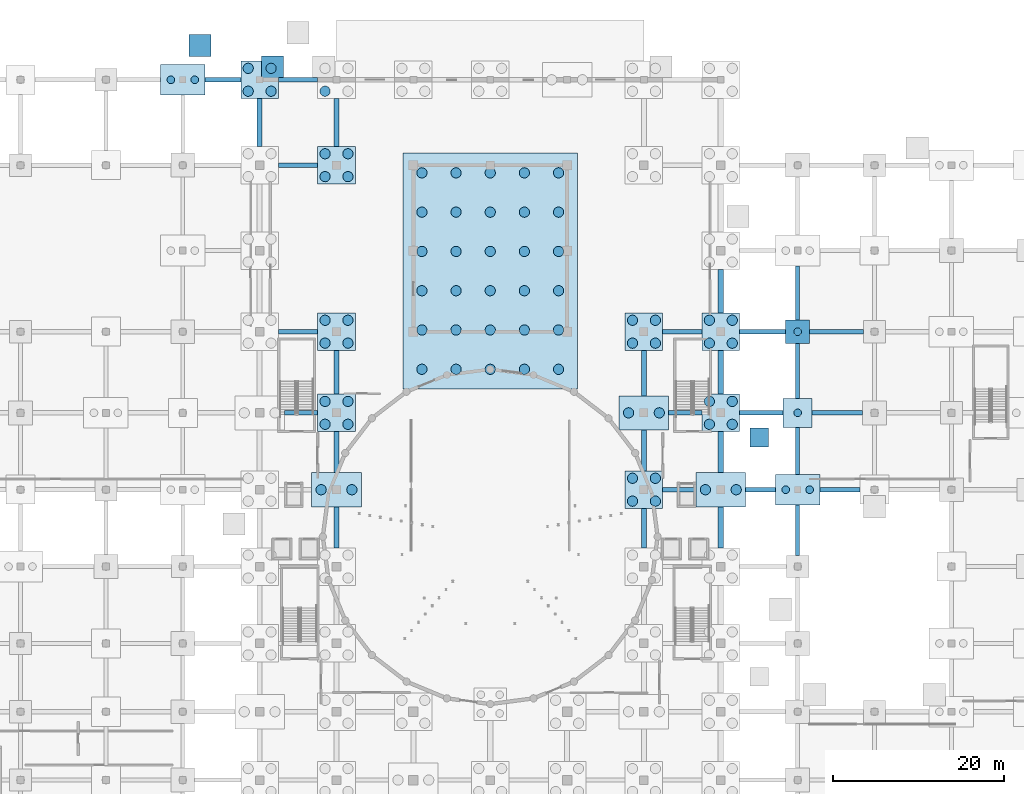
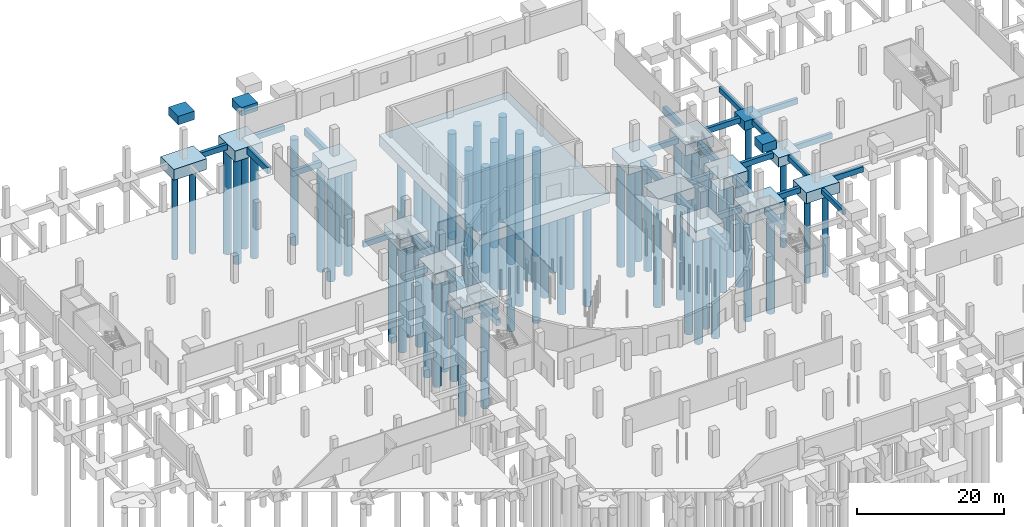
# One storey, part 7 of 40: 75 piles, 49 footings.
"""IFC4 building model written with IfcOpenShell, lengths in metres."""

from ifc_helpers import new_model, si_unit, direction, frame, origin, origin_2d, place, context, subcontext, project, spatial, rectangle, circle, extrude, material, layer, layer_set, material_profile, profile_set, type_object, element, save


model = new_model("IFC4")

# Units and contexts
model_context = context("Model", 3, precision=1e-05, world=origin(), true_north=direction((0.0, 1.0)))
body_context = subcontext(model_context, "Body", "Model", "MODEL_VIEW")
ifc_project = project(units=[si_unit("LENGTHUNIT", "METRE"), si_unit("AREAUNIT", "SQUARE_METRE"), si_unit("VOLUMEUNIT", "CUBIC_METRE"), si_unit("PLANEANGLEUNIT", "RADIAN"), si_unit("MASSUNIT", "GRAM", prefix="KILO")], contexts=[model_context])

# Site, building, storey
site_placement = place(None, origin())
site = spatial("IfcSite", under=ifc_project, at=site_placement, CompositionType="ELEMENT")
building_placement = place(site_placement, origin())
building = spatial("IfcBuilding", under=site, at=building_placement, Name="Marnock Terrace Opera House", CompositionType="ELEMENT")
storey_placement = place(building_placement, frame((0.0, 0.0, -4.800048828125)))
storey = spatial("IfcBuildingStorey", under=building, at=storey_placement, Name="B1", CompositionType="ELEMENT", Elevation=-4.800048828125)

# Footings
ifc_material = material(Name="Concrete N40 (f'c = 40 MPa)", Category="concrete")
ifc_layer_1 = layer(ifc_material, 1.5)
ifc_layer_set_1 = layer_set([ifc_layer_1], Name="Concrete N40 (f'c = 40 MPa)")
footing_type_1 = type_object("IfcFootingType", Name="FT-CAP-2800", PredefinedType="PILE_CAP", material=ifc_layer_set_1)
footing_1_placement = place(storey_placement, frame((118.0, 84.5, -1.89990234375), z_axis=(0.0, 0.0, 1.0), x_axis=(1.0, 0.0, 0.0)))
element("IfcFooting", 1, at=footing_1_placement, inside=storey, type_object=footing_type_1, Name="Pile cap FT-CAP-158", PredefinedType="PILE_CAP", context=body_context, shape_type="SweptSolid", body=[
    extrude(rectangle(XDim=2.800048828125, YDim=2.800048828125, at=origin_2d()), origin(), (0.0, 0.0, 1.0), 1.5),
])
ifc_layer_2 = layer(ifc_material, 1.550048828125)
ifc_layer_set_2 = layer_set([ifc_layer_2], Name="Concrete N40 (f'c = 40 MPa)")
footing_type_2 = type_object("IfcFootingType", Name="FT-CAP-3400", PredefinedType="PILE_CAP", material=ifc_layer_set_2)
footing_2_placement = place(storey_placement, frame((118.0, 75.0, -1.9501953125), z_axis=(0.0, 0.0, 1.0), x_axis=(1.0, 0.0, 0.0)))
element("IfcFooting", 2, at=footing_2_placement, inside=storey, type_object=footing_type_2, Name="Pile cap FT-CAP-157", PredefinedType="PILE_CAP", context=body_context, shape_type="SweptSolid", body=[
    extrude(rectangle(XDim=3.39990234375, YDim=3.39990234375, at=origin_2d()), origin(), (0.0, 0.0, 1.0), 1.550048828125),
])
ifc_layer_3 = layer(ifc_material, 1.800048828125)
ifc_layer_set_3 = layer_set([ifc_layer_3], Name="Concrete N40 (f'c = 40 MPa)")
footing_type_3 = type_object("IfcFootingType", Name="FT-CAP-4400", PredefinedType="PILE_CAP", material=ifc_layer_set_3)
for number, where, z_axis, x_axis, name in (
    (3, (55.0, 114.0, -2.2001953125), (0.0, 0.0, 1.0), (1.0, 0.0, 0.0), "Pile cap FT-CAP-089"),
    (4, (64.0, 75.0, -2.2001953125), (0.0, 0.0, 1.0), (1.0, 0.0, 0.0), "Pile cap FT-CAP-099"),
    (5, (64.0, 84.5, -2.2001953125), (0.0, 0.0, 1.0), (1.0, 0.0, 0.0), "Pile cap FT-CAP-100"),
    (6, (64.0, 104.0, -2.2001953125), (0.0, 0.0, 1.0), (1.0, 0.0, 0.0), "Pile cap FT-CAP-101"),
    (7, (100.0, 66.0, -2.2001953125), (0.0, 0.0, 1.0), (1.0, 0.0, 0.0), "Pile cap FT-CAP-131"),
    (8, (100.0, 84.5, -2.2001953125), (0.0, 0.0, 1.0), (1.0, 0.0, 0.0), "Pile cap FT-CAP-133"),
    (9, (109.0, 75.0, -2.2001953125), (0.0, 0.0, 1.0), (1.0, 0.0, 0.0), "Pile cap FT-CAP-144"),
    (10, (109.0, 84.5, -2.2001953125), (0.0, 0.0, 1.0), (1.0, 0.0, 0.0), "Pile cap FT-CAP-145"),
):
    element("IfcFooting", number, at=place(storey_placement, frame(where, z_axis=z_axis, x_axis=x_axis)), inside=storey, type_object=footing_type_3, Name=name, PredefinedType="PILE_CAP", context=body_context, shape_type="SweptSolid", body=[
        extrude(rectangle(XDim=4.39990234375, YDim=4.39990234375, at=origin_2d()), origin(), (0.0, 0.0, 1.0), 1.800048828125),
    ])
ifc_layer_4 = layer(ifc_material, 1.800048828125)
ifc_layer_set_4 = layer_set([ifc_layer_4], Name="Concrete N40 (f'c = 40 MPa)")
footing_type_4 = type_object("IfcFootingType", Name="FT-CAP-5200", PredefinedType="PILE_CAP", material=ifc_layer_set_4)
for number, where, z_axis, x_axis, name in (
    (11, (46.0, 114.0, -2.2001953125), (0.0, 0.0, 1.0), (1.0, 0.0, 0.0), "Pile cap FT-CAP-076"),
    (12, (118.0, 66.0, -2.2001953125), (0.0, 0.0, 1.0), (1.0, 0.0, 0.0), "Pile cap FT-CAP-156"),
):
    element("IfcFooting", number, at=place(storey_placement, frame(where, z_axis=z_axis, x_axis=x_axis)), inside=storey, type_object=footing_type_4, Name=name, PredefinedType="PILE_CAP", context=body_context, shape_type="SweptSolid", body=[
        extrude(rectangle(XDim=5.199951171875, YDim=3.60009765625, at=origin_2d()), origin(), (0.0, 0.0, 1.0), 1.800048828125),
    ])
ifc_layer_5 = layer(ifc_material, 1.89990234375)
ifc_layer_set_5 = layer_set([ifc_layer_5], Name="Concrete N40 (f'c = 40 MPa)")
footing_type_5 = type_object("IfcFootingType", Name="FT-CAP-5800", PredefinedType="PILE_CAP", material=ifc_layer_set_5)
for number, where, z_axis, x_axis, name in (
    (13, (64.0, 66.0, -2.2998046875), (0.0, 0.0, 1.0), (1.0, 0.0, 0.0), "Pile cap FT-CAP-098"),
    (14, (100.0, 75.0, -2.2998046875), (0.0, 0.0, 1.0), (1.0, 0.0, 0.0), "Pile cap FT-CAP-132"),
    (15, (109.0, 66.0, -2.2998046875), (0.0, 0.0, 1.0), (1.0, 0.0, 0.0), "Pile cap FT-CAP-143"),
):
    element("IfcFooting", number, at=place(storey_placement, frame(where, z_axis=z_axis, x_axis=x_axis)), inside=storey, type_object=footing_type_5, Name=name, PredefinedType="PILE_CAP", context=body_context, shape_type="SweptSolid", body=[
        extrude(rectangle(XDim=5.800048828125, YDim=4.0, at=origin_2d()), origin(), (0.0, 0.0, 1.0), 1.89990234375),
    ])
ifc_material_profile_1 = material_profile(ifc_material, rectangle(XDim=0.449951171875, YDim=0.800048828125, at=origin_2d()))
ifc_profile_set_1 = profile_set([ifc_material_profile_1], Name="Concrete N40 (f'c = 40 MPa)")
footing_type_6 = type_object("IfcFootingType", Name="FT-GB-450", PredefinedType="FOOTING_BEAM", material=ifc_profile_set_1)
footing_3_placement = place(storey_placement, frame((118.0, 58.300048828125, -0.949951171875), z_axis=(0.0, 1.0, 0.0), x_axis=(-1.0, 0.0, 0.0)))
element("IfcFooting", 16, at=footing_3_placement, inside=storey, type_object=footing_type_6, Name="Ground tie beam Y-136", PredefinedType="FOOTING_BEAM", context=body_context, shape_type="SweptSolid", body=[
    extrude(rectangle(XDim=0.449951171875, YDim=0.800048828125, at=origin_2d()), origin(), (0.0, 0.0, 1.0), 5.89990234375),
])
footing_4_placement = place(storey_placement, frame((118.0, 67.800048828125, -0.949951171875), z_axis=(0.0, 1.0, 0.0), x_axis=(-1.0, 0.0, 0.0)))
element("IfcFooting", 17, at=footing_4_placement, inside=storey, type_object=footing_type_6, Name="Ground tie beam Y-137", PredefinedType="FOOTING_BEAM", context=body_context, shape_type="SweptSolid", body=[
    extrude(rectangle(XDim=0.449951171875, YDim=0.800048828125, at=origin_2d()), origin(), (0.0, 0.0, 1.0), 5.5),
])
footing_5_placement = place(storey_placement, frame((118.0, 76.699951171875, -0.949951171875), z_axis=(0.0, 1.0, 0.0), x_axis=(-1.0, 0.0, 0.0)))
element("IfcFooting", 18, at=footing_5_placement, inside=storey, type_object=footing_type_6, Name="Ground tie beam Y-138", PredefinedType="FOOTING_BEAM", context=body_context, shape_type="SweptSolid", body=[
    extrude(rectangle(XDim=0.449951171875, YDim=0.800048828125, at=origin_2d()), origin(), (0.0, 0.0, 1.0), 6.400146484375),
])
footing_6_placement = place(storey_placement, frame((118.0, 85.89990234375, -0.949951171875), z_axis=(0.0, 1.0, 0.0), x_axis=(-1.0, 0.0, 0.0)))
element("IfcFooting", 19, at=footing_6_placement, inside=storey, type_object=footing_type_6, Name="Ground tie beam Y-139", PredefinedType="FOOTING_BEAM", context=body_context, shape_type="SweptSolid", body=[
    extrude(rectangle(XDim=0.449951171875, YDim=0.800048828125, at=origin_2d()), origin(), (0.0, 0.0, 1.0), 6.300048828125),
])
ifc_material_profile_2 = material_profile(ifc_material, rectangle(XDim=0.5, YDim=0.89990234375, at=origin_2d()))
ifc_profile_set_2 = profile_set([ifc_material_profile_2], Name="Concrete N40 (f'c = 40 MPa)")
footing_type_7 = type_object("IfcFootingType", Name="FT-GB-500", PredefinedType="FOOTING_BEAM", material=ifc_profile_set_2)
footing_7_placement = place(storey_placement, frame((102.199951171875, 66.0, -0.849853515625), z_axis=(1.0, 0.0, 0.0), x_axis=(0.0, 1.0, 0.0)))
element("IfcFooting", 20, at=footing_7_placement, inside=storey, type_object=footing_type_7, Name="Ground tie beam X-316", PredefinedType="FOOTING_BEAM", context=body_context, shape_type="SweptSolid", body=[
    extrude(rectangle(XDim=0.5, YDim=0.89990234375, at=origin_2d()), origin(), (0.0, 0.0, 1.0), 3.900146484375),
])
footing_8_placement = place(storey_placement, frame((111.89990234375, 66.0, -0.849853515625), z_axis=(1.0, 0.0, 0.0), x_axis=(0.0, 1.0, 0.0)))
element("IfcFooting", 21, at=footing_8_placement, inside=storey, type_object=footing_type_7, Name="Ground tie beam X-317", PredefinedType="FOOTING_BEAM", context=body_context, shape_type="SweptSolid", body=[
    extrude(rectangle(XDim=0.5, YDim=0.89990234375, at=origin_2d()), origin(), (0.0, 0.0, 1.0), 3.5),
])
footing_9_placement = place(storey_placement, frame((120.60009765625, 66.0, -0.849853515625), z_axis=(1.0, 0.0, 0.0), x_axis=(0.0, 1.0, 0.0)))
element("IfcFooting", 22, at=footing_9_placement, inside=storey, type_object=footing_type_7, Name="Ground tie beam X-318", PredefinedType="FOOTING_BEAM", context=body_context, shape_type="SweptSolid", body=[
    extrude(rectangle(XDim=0.5, YDim=0.89990234375, at=origin_2d()), origin(), (0.0, 0.0, 1.0), 4.699951171875),
])
for number, where, z_axis, x_axis, name in (
    (23, (57.89990234375, 75.0, -0.849853515625), (1.0, 0.0, 0.0), (0.0, 1.0, 0.0), "Ground tie beam X-329"),
    (24, (102.89990234375, 75.0, -0.849853515625), (1.0, 0.0, 0.0), (0.0, 1.0, 0.0), "Ground tie beam X-330"),
):
    element("IfcFooting", number, at=place(storey_placement, frame(where, z_axis=z_axis, x_axis=x_axis)), inside=storey, type_object=footing_type_7, Name=name, PredefinedType="FOOTING_BEAM", context=body_context, shape_type="SweptSolid", body=[
        extrude(rectangle(XDim=0.5, YDim=0.89990234375, at=origin_2d()), origin(), (0.0, 0.0, 1.0), 3.900146484375),
    ])
footing_10_placement = place(storey_placement, frame((111.199951171875, 75.0, -0.849853515625), z_axis=(1.0, 0.0, 0.0), x_axis=(0.0, 1.0, 0.0)))
element("IfcFooting", 25, at=footing_10_placement, inside=storey, type_object=footing_type_7, Name="Ground tie beam X-331", PredefinedType="FOOTING_BEAM", context=body_context, shape_type="SweptSolid", body=[
    extrude(rectangle(XDim=0.5, YDim=0.89990234375, at=origin_2d()), origin(), (0.0, 0.0, 1.0), 5.10009765625),
])
footing_11_placement = place(storey_placement, frame((119.699951171875, 75.0, -0.849853515625), z_axis=(1.0, 0.0, 0.0), x_axis=(0.0, 1.0, 0.0)))
element("IfcFooting", 26, at=footing_11_placement, inside=storey, type_object=footing_type_7, Name="Ground tie beam X-332", PredefinedType="FOOTING_BEAM", context=body_context, shape_type="SweptSolid", body=[
    extrude(rectangle(XDim=0.5, YDim=0.89990234375, at=origin_2d()), origin(), (0.0, 0.0, 1.0), 5.900146484375),
])
for number, where, z_axis, x_axis, name in (
    (27, (57.199951171875, 84.5, -0.849853515625), (1.0, 0.0, 0.0), (0.0, 1.0, 0.0), "Ground tie beam X-343"),
    (28, (102.199951171875, 84.5, -0.849853515625), (1.0, 0.0, 0.0), (0.0, 1.0, 0.0), "Ground tie beam X-344"),
):
    element("IfcFooting", number, at=place(storey_placement, frame(where, z_axis=z_axis, x_axis=x_axis)), inside=storey, type_object=footing_type_7, Name=name, PredefinedType="FOOTING_BEAM", context=body_context, shape_type="SweptSolid", body=[
        extrude(rectangle(XDim=0.5, YDim=0.89990234375, at=origin_2d()), origin(), (0.0, 0.0, 1.0), 4.60009765625),
    ])
footing_12_placement = place(storey_placement, frame((111.199951171875, 84.5, -0.849853515625), z_axis=(1.0, 0.0, 0.0), x_axis=(0.0, 1.0, 0.0)))
element("IfcFooting", 29, at=footing_12_placement, inside=storey, type_object=footing_type_7, Name="Ground tie beam X-345", PredefinedType="FOOTING_BEAM", context=body_context, shape_type="SweptSolid", body=[
    extrude(rectangle(XDim=0.5, YDim=0.89990234375, at=origin_2d()), origin(), (0.0, 0.0, 1.0), 5.400146484375),
])
footing_13_placement = place(storey_placement, frame((119.39990234375, 84.5, -0.849853515625), z_axis=(1.0, 0.0, 0.0), x_axis=(0.0, 1.0, 0.0)))
element("IfcFooting", 30, at=footing_13_placement, inside=storey, type_object=footing_type_7, Name="Ground tie beam X-346", PredefinedType="FOOTING_BEAM", context=body_context, shape_type="SweptSolid", body=[
    extrude(rectangle(XDim=0.5, YDim=0.89990234375, at=origin_2d()), origin(), (0.0, 0.0, 1.0), 6.300048828125),
])
footing_14_placement = place(storey_placement, frame((57.199951171875, 104.0, -0.849853515625), z_axis=(1.0, 0.0, 0.0), x_axis=(0.0, 1.0, 0.0)))
element("IfcFooting", 31, at=footing_14_placement, inside=storey, type_object=footing_type_7, Name="Ground tie beam X-366", PredefinedType="FOOTING_BEAM", context=body_context, shape_type="SweptSolid", body=[
    extrude(rectangle(XDim=0.5, YDim=0.89990234375, at=origin_2d()), origin(), (0.0, 0.0, 1.0), 4.60009765625),
])
footing_15_placement = place(storey_placement, frame((48.60009765625, 114.0, -0.849853515625), z_axis=(1.0, 0.0, 0.0), x_axis=(0.0, 1.0, 0.0)))
element("IfcFooting", 32, at=footing_15_placement, inside=storey, type_object=footing_type_7, Name="Ground tie beam X-379", PredefinedType="FOOTING_BEAM", context=body_context, shape_type="SweptSolid", body=[
    extrude(rectangle(XDim=0.5, YDim=0.89990234375, at=origin_2d()), origin(), (0.0, 0.0, 1.0), 4.199951171875),
])
footing_16_placement = place(storey_placement, frame((57.199951171875, 114.0, -0.849853515625), z_axis=(1.0, 0.0, 0.0), x_axis=(0.0, 1.0, 0.0)))
element("IfcFooting", 33, at=footing_16_placement, inside=storey, type_object=footing_type_7, Name="Ground tie beam X-380", PredefinedType="FOOTING_BEAM", context=body_context, shape_type="SweptSolid", body=[
    extrude(rectangle(XDim=0.5, YDim=0.89990234375, at=origin_2d()), origin(), (0.0, 0.0, 1.0), 4.60009765625),
])
ifc_material_profile_3 = material_profile(ifc_material, rectangle(XDim=0.60009765625, YDim=1.10009765625, at=origin_2d()))
ifc_profile_set_3 = profile_set([ifc_material_profile_3], Name="Concrete N40 (f'c = 40 MPa)")
footing_type_8 = type_object("IfcFootingType", Name="FT-GB-600", PredefinedType="FOOTING_BEAM", material=ifc_profile_set_3)
footing_17_placement = place(storey_placement, frame((55.0, 106.199951171875, -0.949951171875), z_axis=(0.0, 1.0, 0.0), x_axis=(-1.0, 0.0, 0.0)))
element("IfcFooting", 34, at=footing_17_placement, inside=storey, type_object=footing_type_8, Name="Ground tie beam Y-80", PredefinedType="FOOTING_BEAM", context=body_context, shape_type="SweptSolid", body=[
    extrude(rectangle(XDim=0.60009765625, YDim=1.10009765625, at=origin_2d()), origin(), (0.0, 0.0, 1.0), 5.60009765625),
])
for number, where, z_axis, x_axis, name in (
    (35, (64.0, 59.199951171875, -0.949951171875), (0.0, 1.0, 0.0), (-1.0, 0.0, 0.0), "Ground tie beam Y-88"),
    (36, (64.0, 68.0, -0.949951171875), (0.0, 1.0, 0.0), (-1.0, 0.0, 0.0), "Ground tie beam Y-89"),
):
    element("IfcFooting", number, at=place(storey_placement, frame(where, z_axis=z_axis, x_axis=x_axis)), inside=storey, type_object=footing_type_8, Name=name, PredefinedType="FOOTING_BEAM", context=body_context, shape_type="SweptSolid", body=[
        extrude(rectangle(XDim=0.60009765625, YDim=1.10009765625, at=origin_2d()), origin(), (0.0, 0.0, 1.0), 4.800048828125),
    ])
footing_18_placement = place(storey_placement, frame((64.0, 77.199951171875, -0.949951171875), z_axis=(0.0, 1.0, 0.0), x_axis=(-1.0, 0.0, 0.0)))
element("IfcFooting", 37, at=footing_18_placement, inside=storey, type_object=footing_type_8, Name="Ground tie beam Y-90", PredefinedType="FOOTING_BEAM", context=body_context, shape_type="SweptSolid", body=[
    extrude(rectangle(XDim=0.60009765625, YDim=1.10009765625, at=origin_2d()), origin(), (0.0, 0.0, 1.0), 5.10009765625),
])
footing_19_placement = place(storey_placement, frame((64.0, 106.199951171875, -0.949951171875), z_axis=(0.0, 1.0, 0.0), x_axis=(-1.0, 0.0, 0.0)))
element("IfcFooting", 38, at=footing_19_placement, inside=storey, type_object=footing_type_8, Name="Ground tie beam Y-91", PredefinedType="FOOTING_BEAM", context=body_context, shape_type="SweptSolid", body=[
    extrude(rectangle(XDim=0.60009765625, YDim=1.10009765625, at=origin_2d()), origin(), (0.0, 0.0, 1.0), 5.60009765625),
])
footing_20_placement = place(storey_placement, frame((100.0, 59.199951171875, -0.949951171875), z_axis=(0.0, 1.0, 0.0), x_axis=(-1.0, 0.0, 0.0)))
element("IfcFooting", 39, at=footing_20_placement, inside=storey, type_object=footing_type_8, Name="Ground tie beam Y-114", PredefinedType="FOOTING_BEAM", context=body_context, shape_type="SweptSolid", body=[
    extrude(rectangle(XDim=0.60009765625, YDim=1.10009765625, at=origin_2d()), origin(), (0.0, 0.0, 1.0), 4.60009765625),
])
footing_21_placement = place(storey_placement, frame((100.0, 68.199951171875, -0.949951171875), z_axis=(0.0, 1.0, 0.0), x_axis=(-1.0, 0.0, 0.0)))
element("IfcFooting", 40, at=footing_21_placement, inside=storey, type_object=footing_type_8, Name="Ground tie beam Y-115", PredefinedType="FOOTING_BEAM", context=body_context, shape_type="SweptSolid", body=[
    extrude(rectangle(XDim=0.60009765625, YDim=1.10009765625, at=origin_2d()), origin(), (0.0, 0.0, 1.0), 4.800048828125),
])
footing_22_placement = place(storey_placement, frame((100.0, 77.0, -0.949951171875), z_axis=(0.0, 1.0, 0.0), x_axis=(-1.0, 0.0, 0.0)))
element("IfcFooting", 41, at=footing_22_placement, inside=storey, type_object=footing_type_8, Name="Ground tie beam Y-116", PredefinedType="FOOTING_BEAM", context=body_context, shape_type="SweptSolid", body=[
    extrude(rectangle(XDim=0.60009765625, YDim=1.10009765625, at=origin_2d()), origin(), (0.0, 0.0, 1.0), 5.300048828125),
])
for number, where, z_axis, x_axis, name in (
    (42, (109.0, 59.199951171875, -0.949951171875), (0.0, 1.0, 0.0), (-1.0, 0.0, 0.0), "Ground tie beam Y-124"),
    (43, (109.0, 68.0, -0.949951171875), (0.0, 1.0, 0.0), (-1.0, 0.0, 0.0), "Ground tie beam Y-125"),
):
    element("IfcFooting", number, at=place(storey_placement, frame(where, z_axis=z_axis, x_axis=x_axis)), inside=storey, type_object=footing_type_8, Name=name, PredefinedType="FOOTING_BEAM", context=body_context, shape_type="SweptSolid", body=[
        extrude(rectangle(XDim=0.60009765625, YDim=1.10009765625, at=origin_2d()), origin(), (0.0, 0.0, 1.0), 4.800048828125),
    ])
for number, where, z_axis, x_axis, name in (
    (44, (109.0, 77.199951171875, -0.949951171875), (0.0, 1.0, 0.0), (-1.0, 0.0, 0.0), "Ground tie beam Y-126"),
    (45, (109.0, 86.699951171875, -0.949951171875), (0.0, 1.0, 0.0), (-1.0, 0.0, 0.0), "Ground tie beam Y-127"),
):
    element("IfcFooting", number, at=place(storey_placement, frame(where, z_axis=z_axis, x_axis=x_axis)), inside=storey, type_object=footing_type_8, Name=name, PredefinedType="FOOTING_BEAM", context=body_context, shape_type="SweptSolid", body=[
        extrude(rectangle(XDim=0.60009765625, YDim=1.10009765625, at=origin_2d()), origin(), (0.0, 0.0, 1.0), 5.10009765625),
    ])
ifc_layer_6 = layer(ifc_material, 1.39990234375)
ifc_layer_set_6 = layer_set([ifc_layer_6], Name="Concrete N40 (f'c = 40 MPa)")
footing_type_9 = type_object("IfcFootingType", Name="FT-PAD-2200", PredefinedType="PAD_FOOTING", material=ifc_layer_set_6)
footing_23_placement = place(storey_placement, frame((113.5, 72.10009765625, 3.16015625), z_axis=(0.0, 0.0, 1.0), x_axis=(1.0, 0.0, 0.0)))
element("IfcFooting", 46, at=footing_23_placement, inside=storey, type_object=footing_type_9, Name="Grade ramp foundation RMP-PASS-03", PredefinedType="PAD_FOOTING", context=body_context, shape_type="SweptSolid", body=[
    extrude(rectangle(XDim=2.199951171875, YDim=2.199951171875, at=origin_2d()), origin(), (0.0, 0.0, 1.0), 1.39990234375),
])
ifc_layer_7 = layer(ifc_material, 1.39990234375)
ifc_layer_set_7 = layer_set([ifc_layer_7], Name="Concrete N40 (f'c = 40 MPa)")
footing_type_10 = type_object("IfcFootingType", Name="FT-PAD-2600", PredefinedType="PAD_FOOTING", material=ifc_layer_set_7)
for number, where, z_axis, x_axis, name in (
    (47, (56.5, 115.5, 3.16015625), (0.0, 0.0, 1.0), (1.0, 0.0, 0.0), "Upper-terrace grade pad footing FT-APR-NW1"),
    (48, (48.0, 118.0, 3.16015625), (0.0, 0.0, 1.0), (1.0, 0.0, 0.0), "Upper-terrace grade pad footing FT-APR-DK3"),
):
    element("IfcFooting", number, at=place(storey_placement, frame(where, z_axis=z_axis, x_axis=x_axis)), inside=storey, type_object=footing_type_10, Name=name, PredefinedType="PAD_FOOTING", context=body_context, shape_type="SweptSolid", body=[
        extrude(rectangle(XDim=2.60009765625, YDim=2.60009765625, at=origin_2d()), origin(), (0.0, 0.0, 1.0), 1.39990234375),
    ])
ifc_layer_8 = layer(ifc_material, 1.800048828125)
ifc_layer_set_8 = layer_set([ifc_layer_8], Name="Concrete N40 (f'c = 40 MPa)")
footing_type_11 = type_object("IfcFootingType", Name="FT-RAFT-STAGE", PredefinedType="PAD_FOOTING", material=ifc_layer_set_8)
footing_24_placement = place(storey_placement, frame((82.0, 91.60009765625, -2.2001953125), z_axis=(0.0, 0.0, 1.0), x_axis=(1.0, 0.0, 0.0)))
element("IfcFooting", 49, at=footing_24_placement, inside=storey, type_object=footing_type_11, Name="Stage House and Orchestra Pit piled raft", PredefinedType="PAD_FOOTING", context=body_context, shape_type="SweptSolid", body=[
    extrude(rectangle(XDim=20.39990234375, YDim=27.60009765625, at=origin_2d()), origin(), (0.0, 0.0, 1.0), 1.800048828125),
])

# Piles
ifc_material_profile_4 = material_profile(ifc_material, circle(Radius=0.6005859375, at=origin_2d()))
ifc_profile_set_4 = profile_set([ifc_material_profile_4], Name="Concrete N40 (f'c = 40 MPa)")
pile_type_1 = type_object("IfcPileType", Name="PILE-CFA-1200", PredefinedType="BORED", material=ifc_profile_set_4)
for number, where, z_axis, x_axis, name in (
    (50, (74.0, 80.10009765625, -2.099853515625), (0.0, 0.0, -1.0), (1.0, 0.0, 0.0), "Stage raft bored CFA pile 1"),
    (51, (74.0, 84.699951171875, -2.099853515625), (0.0, 0.0, -1.0), (1.0, 0.0, 0.0), "Stage raft bored CFA pile 2"),
    (52, (74.0, 89.300048828125, -2.099853515625), (0.0, 0.0, -1.0), (1.0, 0.0, 0.0), "Stage raft bored CFA pile 3"),
    (53, (74.0, 93.89990234375, -2.099853515625), (0.0, 0.0, -1.0), (1.0, 0.0, 0.0), "Stage raft bored CFA pile 4"),
    (54, (74.0, 98.5, -2.099853515625), (0.0, 0.0, -1.0), (1.0, 0.0, 0.0), "Stage raft bored CFA pile 5"),
    (55, (74.0, 103.10009765625, -2.099853515625), (0.0, 0.0, -1.0), (1.0, 0.0, 0.0), "Stage raft bored CFA pile 6"),
    (56, (78.0, 80.10009765625, -2.099853515625), (0.0, 0.0, -1.0), (1.0, 0.0, 0.0), "Stage raft bored CFA pile 7"),
    (57, (78.0, 84.699951171875, -2.099853515625), (0.0, 0.0, -1.0), (1.0, 0.0, 0.0), "Stage raft bored CFA pile 8"),
    (58, (78.0, 89.300048828125, -2.099853515625), (0.0, 0.0, -1.0), (1.0, 0.0, 0.0), "Stage raft bored CFA pile 9"),
    (59, (78.0, 93.89990234375, -2.099853515625), (0.0, 0.0, -1.0), (1.0, 0.0, 0.0), "Stage raft bored CFA pile 10"),
    (60, (78.0, 98.5, -2.099853515625), (0.0, 0.0, -1.0), (1.0, 0.0, 0.0), "Stage raft bored CFA pile 11"),
    (61, (78.0, 103.10009765625, -2.099853515625), (0.0, 0.0, -1.0), (1.0, 0.0, 0.0), "Stage raft bored CFA pile 12"),
    (62, (82.0, 80.10009765625, -2.099853515625), (0.0, 0.0, -1.0), (1.0, 0.0, 0.0), "Stage raft bored CFA pile 13"),
    (63, (82.0, 84.699951171875, -2.099853515625), (0.0, 0.0, -1.0), (1.0, 0.0, 0.0), "Stage raft bored CFA pile 14"),
    (64, (82.0, 89.300048828125, -2.099853515625), (0.0, 0.0, -1.0), (1.0, 0.0, 0.0), "Stage raft bored CFA pile 15"),
    (65, (82.0, 93.89990234375, -2.099853515625), (0.0, 0.0, -1.0), (1.0, 0.0, 0.0), "Stage raft bored CFA pile 16"),
    (66, (82.0, 98.5, -2.099853515625), (0.0, 0.0, -1.0), (1.0, 0.0, 0.0), "Stage raft bored CFA pile 17"),
    (67, (82.0, 103.10009765625, -2.099853515625), (0.0, 0.0, -1.0), (1.0, 0.0, 0.0), "Stage raft bored CFA pile 18"),
    (68, (86.0, 80.10009765625, -2.099853515625), (0.0, 0.0, -1.0), (1.0, 0.0, 0.0), "Stage raft bored CFA pile 19"),
    (69, (86.0, 84.699951171875, -2.099853515625), (0.0, 0.0, -1.0), (1.0, 0.0, 0.0), "Stage raft bored CFA pile 20"),
    (70, (86.0, 89.300048828125, -2.099853515625), (0.0, 0.0, -1.0), (1.0, 0.0, 0.0), "Stage raft bored CFA pile 21"),
    (71, (86.0, 93.89990234375, -2.099853515625), (0.0, 0.0, -1.0), (1.0, 0.0, 0.0), "Stage raft bored CFA pile 22"),
    (72, (86.0, 98.5, -2.099853515625), (0.0, 0.0, -1.0), (1.0, 0.0, 0.0), "Stage raft bored CFA pile 23"),
    (73, (86.0, 103.10009765625, -2.099853515625), (0.0, 0.0, -1.0), (1.0, 0.0, 0.0), "Stage raft bored CFA pile 24"),
    (74, (90.0, 80.10009765625, -2.099853515625), (0.0, 0.0, -1.0), (1.0, 0.0, 0.0), "Stage raft bored CFA pile 25"),
    (75, (90.0, 84.699951171875, -2.099853515625), (0.0, 0.0, -1.0), (1.0, 0.0, 0.0), "Stage raft bored CFA pile 26"),
    (76, (90.0, 89.300048828125, -2.099853515625), (0.0, 0.0, -1.0), (1.0, 0.0, 0.0), "Stage raft bored CFA pile 27"),
    (77, (90.0, 93.89990234375, -2.099853515625), (0.0, 0.0, -1.0), (1.0, 0.0, 0.0), "Stage raft bored CFA pile 28"),
    (78, (90.0, 98.5, -2.099853515625), (0.0, 0.0, -1.0), (1.0, 0.0, 0.0), "Stage raft bored CFA pile 29"),
    (79, (90.0, 103.10009765625, -2.099853515625), (0.0, 0.0, -1.0), (1.0, 0.0, 0.0), "Stage raft bored CFA pile 30"),
    (80, (53.659912109375, 112.659912109375, -2.099853515625), (0.0, 0.0, -1.0), (1.0, 0.0, 0.0), "Bored CFA pile 89.1"),
    (81, (56.340087890625, 112.659912109375, -2.099853515625), (0.0, 0.0, -1.0), (1.0, 0.0, 0.0), "Bored CFA pile 89.2"),
    (82, (53.659912109375, 115.340087890625, -2.099853515625), (0.0, 0.0, -1.0), (1.0, 0.0, 0.0), "Bored CFA pile 89.3"),
    (83, (56.340087890625, 115.340087890625, -2.099853515625), (0.0, 0.0, -1.0), (1.0, 0.0, 0.0), "Bored CFA pile 89.4"),
):
    element("IfcPile", number, at=place(storey_placement, frame(where, z_axis=z_axis, x_axis=x_axis)), inside=storey, type_object=pile_type_1, Name=name, PredefinedType="BORED", context=body_context, shape_type="SweptSolid", body=[
        extrude(circle(Radius=0.6005859375, at=origin_2d()), origin(), (0.0, 0.0, 1.0), 17.60009765625),
    ])
for number, where, z_axis, x_axis, name in (
    (84, (62.199951171875, 66.0, -2.199951171875), (0.0, 0.0, -1.0), (1.0, 0.0, 0.0), "Bored CFA pile 98.1"),
    (85, (65.800048828125, 66.0, -2.199951171875), (0.0, 0.0, -1.0), (1.0, 0.0, 0.0), "Bored CFA pile 98.2"),
):
    element("IfcPile", number, at=place(storey_placement, frame(where, z_axis=z_axis, x_axis=x_axis)), inside=storey, type_object=pile_type_1, Name=name, PredefinedType="BORED", context=body_context, shape_type="SweptSolid", body=[
        extrude(circle(Radius=0.6005859375, at=origin_2d()), origin(), (0.0, 0.0, 1.0), 17.5),
    ])
for number, where, z_axis, x_axis, name in (
    (86, (62.659912109375, 73.659912109375, -2.099853515625), (0.0, 0.0, -1.0), (1.0, 0.0, 0.0), "Bored CFA pile 99.1"),
    (87, (65.340087890625, 73.659912109375, -2.099853515625), (0.0, 0.0, -1.0), (1.0, 0.0, 0.0), "Bored CFA pile 99.2"),
    (88, (62.659912109375, 76.340087890625, -2.099853515625), (0.0, 0.0, -1.0), (1.0, 0.0, 0.0), "Bored CFA pile 99.3"),
    (89, (65.340087890625, 76.340087890625, -2.099853515625), (0.0, 0.0, -1.0), (1.0, 0.0, 0.0), "Bored CFA pile 99.4"),
    (90, (62.659912109375, 83.159912109375, -2.099853515625), (0.0, 0.0, -1.0), (1.0, 0.0, 0.0), "Bored CFA pile 100.1"),
    (91, (65.340087890625, 83.159912109375, -2.099853515625), (0.0, 0.0, -1.0), (1.0, 0.0, 0.0), "Bored CFA pile 100.2"),
    (92, (62.659912109375, 85.840087890625, -2.099853515625), (0.0, 0.0, -1.0), (1.0, 0.0, 0.0), "Bored CFA pile 100.3"),
    (93, (65.340087890625, 85.840087890625, -2.099853515625), (0.0, 0.0, -1.0), (1.0, 0.0, 0.0), "Bored CFA pile 100.4"),
    (94, (62.659912109375, 102.659912109375, -2.099853515625), (0.0, 0.0, -1.0), (1.0, 0.0, 0.0), "Bored CFA pile 101.1"),
    (95, (65.340087890625, 102.659912109375, -2.099853515625), (0.0, 0.0, -1.0), (1.0, 0.0, 0.0), "Bored CFA pile 101.2"),
    (96, (62.659912109375, 105.340087890625, -2.099853515625), (0.0, 0.0, -1.0), (1.0, 0.0, 0.0), "Bored CFA pile 101.3"),
    (97, (65.340087890625, 105.340087890625, -2.099853515625), (0.0, 0.0, -1.0), (1.0, 0.0, 0.0), "Bored CFA pile 101.4"),
    (98, (62.659912109375, 112.659912109375, -2.099853515625), (0.0, 0.0, -1.0), (1.0, 0.0, 0.0), "Bored CFA pile 102.1"),
    (99, (98.659912109375, 64.659912109375, -2.099853515625), (0.0, 0.0, -1.0), (1.0, 0.0, 0.0), "Bored CFA pile 131.1"),
    (100, (101.340087890625, 64.659912109375, -2.099853515625), (0.0, 0.0, -1.0), (1.0, 0.0, 0.0), "Bored CFA pile 131.2"),
    (101, (98.659912109375, 67.340087890625, -2.099853515625), (0.0, 0.0, -1.0), (1.0, 0.0, 0.0), "Bored CFA pile 131.3"),
    (102, (101.340087890625, 67.340087890625, -2.099853515625), (0.0, 0.0, -1.0), (1.0, 0.0, 0.0), "Bored CFA pile 131.4"),
):
    element("IfcPile", number, at=place(storey_placement, frame(where, z_axis=z_axis, x_axis=x_axis)), inside=storey, type_object=pile_type_1, Name=name, PredefinedType="BORED", context=body_context, shape_type="SweptSolid", body=[
        extrude(circle(Radius=0.6005859375, at=origin_2d()), origin(), (0.0, 0.0, 1.0), 17.60009765625),
    ])
for number, where, z_axis, x_axis, name in (
    (103, (98.199951171875, 75.0, -2.199951171875), (0.0, 0.0, -1.0), (1.0, 0.0, 0.0), "Bored CFA pile 132.1"),
    (104, (101.800048828125, 75.0, -2.199951171875), (0.0, 0.0, -1.0), (1.0, 0.0, 0.0), "Bored CFA pile 132.2"),
):
    element("IfcPile", number, at=place(storey_placement, frame(where, z_axis=z_axis, x_axis=x_axis)), inside=storey, type_object=pile_type_1, Name=name, PredefinedType="BORED", context=body_context, shape_type="SweptSolid", body=[
        extrude(circle(Radius=0.6005859375, at=origin_2d()), origin(), (0.0, 0.0, 1.0), 17.5),
    ])
for number, where, z_axis, x_axis, name in (
    (105, (98.659912109375, 83.159912109375, -2.099853515625), (0.0, 0.0, -1.0), (1.0, 0.0, 0.0), "Bored CFA pile 133.1"),
    (106, (101.340087890625, 83.159912109375, -2.099853515625), (0.0, 0.0, -1.0), (1.0, 0.0, 0.0), "Bored CFA pile 133.2"),
    (107, (98.659912109375, 85.840087890625, -2.099853515625), (0.0, 0.0, -1.0), (1.0, 0.0, 0.0), "Bored CFA pile 133.3"),
    (108, (101.340087890625, 85.840087890625, -2.099853515625), (0.0, 0.0, -1.0), (1.0, 0.0, 0.0), "Bored CFA pile 133.4"),
):
    element("IfcPile", number, at=place(storey_placement, frame(where, z_axis=z_axis, x_axis=x_axis)), inside=storey, type_object=pile_type_1, Name=name, PredefinedType="BORED", context=body_context, shape_type="SweptSolid", body=[
        extrude(circle(Radius=0.6005859375, at=origin_2d()), origin(), (0.0, 0.0, 1.0), 17.60009765625),
    ])
for number, where, z_axis, x_axis, name in (
    (109, (107.199951171875, 66.0, -2.199951171875), (0.0, 0.0, -1.0), (1.0, 0.0, 0.0), "Bored CFA pile 143.1"),
    (110, (110.800048828125, 66.0, -2.199951171875), (0.0, 0.0, -1.0), (1.0, 0.0, 0.0), "Bored CFA pile 143.2"),
):
    element("IfcPile", number, at=place(storey_placement, frame(where, z_axis=z_axis, x_axis=x_axis)), inside=storey, type_object=pile_type_1, Name=name, PredefinedType="BORED", context=body_context, shape_type="SweptSolid", body=[
        extrude(circle(Radius=0.6005859375, at=origin_2d()), origin(), (0.0, 0.0, 1.0), 17.5),
    ])
for number, where, z_axis, x_axis, name in (
    (111, (107.659912109375, 73.659912109375, -2.099853515625), (0.0, 0.0, -1.0), (1.0, 0.0, 0.0), "Bored CFA pile 144.1"),
    (112, (110.340087890625, 73.659912109375, -2.099853515625), (0.0, 0.0, -1.0), (1.0, 0.0, 0.0), "Bored CFA pile 144.2"),
    (113, (107.659912109375, 76.340087890625, -2.099853515625), (0.0, 0.0, -1.0), (1.0, 0.0, 0.0), "Bored CFA pile 144.3"),
    (114, (110.340087890625, 76.340087890625, -2.099853515625), (0.0, 0.0, -1.0), (1.0, 0.0, 0.0), "Bored CFA pile 144.4"),
    (115, (107.659912109375, 83.159912109375, -2.099853515625), (0.0, 0.0, -1.0), (1.0, 0.0, 0.0), "Bored CFA pile 145.1"),
    (116, (110.340087890625, 83.159912109375, -2.099853515625), (0.0, 0.0, -1.0), (1.0, 0.0, 0.0), "Bored CFA pile 145.2"),
    (117, (107.659912109375, 85.840087890625, -2.099853515625), (0.0, 0.0, -1.0), (1.0, 0.0, 0.0), "Bored CFA pile 145.3"),
    (118, (110.340087890625, 85.840087890625, -2.099853515625), (0.0, 0.0, -1.0), (1.0, 0.0, 0.0), "Bored CFA pile 145.4"),
):
    element("IfcPile", number, at=place(storey_placement, frame(where, z_axis=z_axis, x_axis=x_axis)), inside=storey, type_object=pile_type_1, Name=name, PredefinedType="BORED", context=body_context, shape_type="SweptSolid", body=[
        extrude(circle(Radius=0.6005859375, at=origin_2d()), origin(), (0.0, 0.0, 1.0), 17.60009765625),
    ])
ifc_material_profile_5 = material_profile(ifc_material, circle(Radius=0.449951171875, at=origin_2d()))
ifc_profile_set_5 = profile_set([ifc_material_profile_5], Name="Concrete N40 (f'c = 40 MPa)")
pile_type_2 = type_object("IfcPileType", Name="PILE-CFA-900", PredefinedType="BORED", material=ifc_profile_set_5)
for number, where, z_axis, x_axis, name in (
    (119, (44.60009765625, 114.0, -2.099853515625), (0.0, 0.0, -1.0), (1.0, 0.0, 0.0), "Bored CFA pile 76.1"),
    (120, (47.39990234375, 114.0, -2.099853515625), (0.0, 0.0, -1.0), (1.0, 0.0, 0.0), "Bored CFA pile 76.2"),
    (121, (116.60009765625, 66.0, -2.099853515625), (0.0, 0.0, -1.0), (1.0, 0.0, 0.0), "Bored CFA pile 156.1"),
    (122, (119.39990234375, 66.0, -2.099853515625), (0.0, 0.0, -1.0), (1.0, 0.0, 0.0), "Bored CFA pile 156.2"),
):
    element("IfcPile", number, at=place(storey_placement, frame(where, z_axis=z_axis, x_axis=x_axis)), inside=storey, type_object=pile_type_2, Name=name, PredefinedType="BORED", context=body_context, shape_type="SweptSolid", body=[
        extrude(circle(Radius=0.449951171875, at=origin_2d()), origin(), (0.0, 0.0, 1.0), 14.60009765625),
    ])
pile_1_placement = place(storey_placement, frame((118.0, 75.0, -1.849853515625), z_axis=(0.0, 0.0, -1.0), x_axis=(1.0, 0.0, 0.0)))
element("IfcPile", 123, at=pile_1_placement, inside=storey, type_object=pile_type_2, Name="Bored CFA pile 157.1", PredefinedType="BORED", context=body_context, shape_type="SweptSolid", body=[
    extrude(circle(Radius=0.449951171875, at=origin_2d()), origin(), (0.0, 0.0, 1.0), 14.85009765625),
])
pile_2_placement = place(storey_placement, frame((118.0, 84.5, -1.800048828125), z_axis=(0.0, 0.0, -1.0), x_axis=(1.0, 0.0, 0.0)))
element("IfcPile", 124, at=pile_2_placement, inside=storey, type_object=pile_type_2, Name="Bored CFA pile 158.1", PredefinedType="BORED", context=body_context, shape_type="SweptSolid", body=[
    extrude(circle(Radius=0.449951171875, at=origin_2d()), origin(), (0.0, 0.0, 1.0), 14.89990234375),
])

save(model, "model.ifc")
